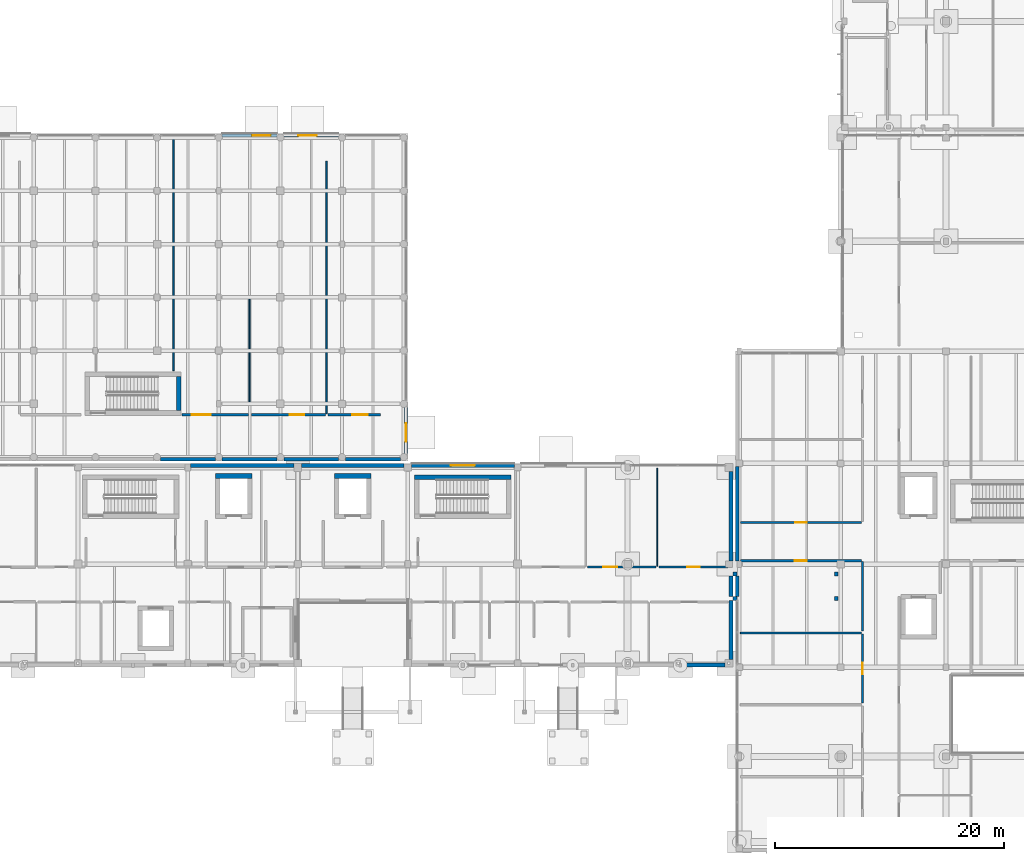
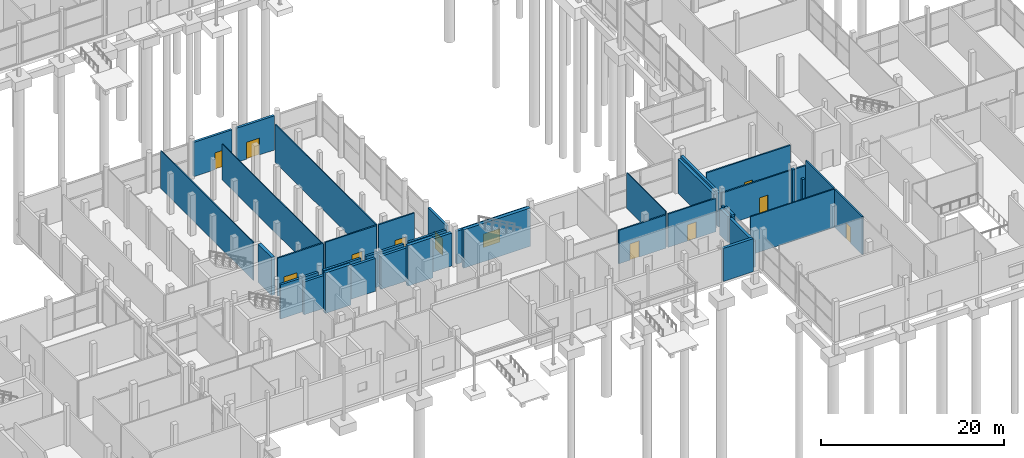
# One storey, part 61 of 88: 38 walls, 11 doors, 1 window, 12 openings.
"""IFC4 building model written with IfcOpenShell, lengths in metres."""

from ifc_helpers import new_model, si_unit, direction, frame, frame_2d, origin, place, context, subcontext, project, spatial, rectangle, extrude, material, layer, layer_set, type_object, element, fill, save


model = new_model("IFC4")

# Units and contexts
model_context = context("Model", 3, precision=1e-05, world=origin(), true_north=direction((0.0, 1.0)))
body_context = subcontext(model_context, "Body", "Model", "MODEL_VIEW")
ifc_project = project(units=[si_unit("LENGTHUNIT", "METRE"), si_unit("AREAUNIT", "SQUARE_METRE"), si_unit("VOLUMEUNIT", "CUBIC_METRE"), si_unit("PLANEANGLEUNIT", "RADIAN"), si_unit("MASSUNIT", "GRAM", prefix="KILO")], contexts=[model_context])

# Site, building, storey
site_placement = place(None, origin())
site = spatial("IfcSite", under=ifc_project, at=site_placement, CompositionType="ELEMENT")
building_placement = place(site_placement, origin())
building = spatial("IfcBuilding", under=site, at=building_placement, Name="Birchvale Park Specialist Clinic", CompositionType="ELEMENT")
storey_placement = place(building_placement, origin())
storey = spatial("IfcBuildingStorey", under=building, at=storey_placement, Name="L00", CompositionType="ELEMENT", Elevation=0.0)

# Walls
ifc_material_1 = material(Name="Concrete C40/50", Category="concrete")
ifc_layer_1 = layer(ifc_material_1, 0.39990234375)
ifc_layer_set_1 = layer_set([ifc_layer_1], Name="Concrete C40/50")
wall_type_1 = type_object("IfcWallType", Name="WL-CW-120", PredefinedType="SHEAR", material=ifc_layer_set_1)
wall_1_placement = place(storey_placement, frame((70.199951171875, 42.199951171875, 0.0), z_axis=(0.0, 0.0, 1.0), x_axis=(0.0, -1.0, 0.0)))
element("IfcWall", 1, at=wall_1_placement, inside=storey, type_object=wall_type_1, Name="L00 stair ST1 EI 120 enclosure wall (east)", PredefinedType="SHEAR", context=body_context, shape_type="SweptSolid", body=[
    extrude(rectangle(XDim=3.0, YDim=0.39990234375, at=frame_2d((1.5, 0.0))), origin(), (0.0, 0.0, 1.0), 5.080078125),
])
wall_2_placement = place(storey_placement, frame((99.199951171875, 33.39990234375, 0.0), z_axis=(0.0, 0.0, 1.0), x_axis=(-1.0, 0.0, 0.0)))
element("IfcWall", 2, at=wall_2_placement, inside=storey, type_object=wall_type_1, Name="L00 stair ST5 EI 120 enclosure wall (north)", PredefinedType="SHEAR", context=body_context, shape_type="SweptSolid", body=[
    extrude(rectangle(XDim=8.39990234375, YDim=0.39990234375, at=frame_2d((4.199951171875, 0.0))), origin(), (0.0, 0.0, 1.0), 5.1201171875),
])
wall_3_placement = place(storey_placement, frame((76.60009765625, 33.5, 0.0), z_axis=(0.0, 0.0, 1.0), x_axis=(-1.0, 0.0, 0.0)))
element("IfcWall", 3, at=wall_3_placement, inside=storey, type_object=wall_type_1, Name="L00 lift LF1 shaft wall (north)", PredefinedType="SHEAR", context=body_context, shape_type="SweptSolid", body=[
    extrude(rectangle(XDim=3.2001953125, YDim=0.39990234375, at=frame_2d((1.60009765625, 0.0))), origin(), (0.0, 0.0, 1.0), 5.39990234375),
])
wall_4_placement = place(storey_placement, frame((87.0, 33.5, 0.0), z_axis=(0.0, 0.0, 1.0), x_axis=(-1.0, 0.0, 0.0)))
element("IfcWall", 4, at=wall_4_placement, inside=storey, type_object=wall_type_1, Name="L00 lift LF2 shaft wall (north)", PredefinedType="SHEAR", context=body_context, shape_type="SweptSolid", body=[
    extrude(rectangle(XDim=3.199951171875, YDim=0.39990234375, at=frame_2d((1.60009765625, 0.0))), origin(), (0.0, 0.0, 1.0), 5.39990234375),
])
ifc_material_2 = material(Name="Lime-white mineral-rendered insulated masonry", Category="masonry")
ifc_layer_2 = layer(ifc_material_2, 0.340087890625)
ifc_layer_set_2 = layer_set([ifc_layer_2], Name="Lime-white mineral-rendered insulated masonry")
wall_type_2 = type_object("IfcWallType", Name="WL-EW-01", PredefinedType="STANDARD", material=ifc_layer_set_2)
wall_5_placement = place(storey_placement, frame((114.114990234375, 16.989990234375, 0.0), z_axis=(0.0, 0.0, 1.0), x_axis=(1.0, 0.0, 0.0)))
element("IfcWall", 5, at=wall_5_placement, inside=storey, type_object=wall_type_2, Name="V4 L00 exterior facade wall 77", PredefinedType="STANDARD", context=body_context, shape_type="SweptSolid", body=[
    extrude(rectangle(XDim=3.800048828125, YDim=0.340087890625, at=frame_2d((1.89990234375, 0.0))), origin(), (0.0, 0.0, 1.0), 4.4150390625),
])
wall_6_placement = place(storey_placement, frame((118.409912109375, 17.485107421875, 0.0), z_axis=(0.0, 0.0, 1.0), x_axis=(0.0, 1.0, 0.0)))
element("IfcWall", 6, at=wall_6_placement, inside=storey, type_object=wall_type_2, Name="V4 L00 exterior facade wall 78", PredefinedType="STANDARD", context=body_context, shape_type="SweptSolid", body=[
    extrude(rectangle(XDim=5.144775390625, YDim=0.340087890625, at=frame_2d((2.572265625, 0.0))), origin(), (0.0, 0.0, 1.0), 3.508056640625),
])
wall_7_placement = place(storey_placement, frame((118.409912109375, 22.969970703125, 0.0), z_axis=(0.0, 0.0, 1.0), x_axis=(0.0, 1.0, 0.0)))
element("IfcWall", 7, at=wall_7_placement, inside=storey, type_object=wall_type_2, Name="V4 L00 exterior facade wall 79", PredefinedType="STANDARD", context=body_context, shape_type="SweptSolid", body=[
    extrude(rectangle(XDim=1.81005859375, YDim=0.340087890625, at=frame_2d((0.905029296875, 0.0))), origin(), (0.0, 0.0, 1.0), 3.508056640625),
])
wall_8_placement = place(storey_placement, frame((118.409912109375, 26.0849609375, 0.0), z_axis=(0.0, 0.0, 1.0), x_axis=(0.0, 1.0, 0.0)))
element("IfcWall", 8, at=wall_8_placement, inside=storey, type_object=wall_type_2, Name="V4 L00 exterior facade wall 80", PredefinedType="STANDARD", context=body_context, shape_type="SweptSolid", body=[
    extrude(rectangle(XDim=7.830078125, YDim=0.340087890625, at=frame_2d((3.9150390625, 0.0))), origin(), (0.0, 0.0, 1.0), 4.56494140625),
])

# Wall, opening, window
wall_9_placement = place(storey_placement, frame((99.514892578125, 34.409912109375, 0.0), z_axis=(0.0, 0.0, 1.0), x_axis=(-1.0, 0.0, 0.0)))
wall_9 = element("IfcWall", 9, at=wall_9_placement, inside=storey, type_object=wall_type_2, Name="V4 L00 exterior facade wall 82", PredefinedType="STANDARD", context=body_context, shape_type="SweptSolid", body=[
    extrude(rectangle(XDim=9.0048828125, YDim=0.340087890625, at=frame_2d((4.50244140625, 0.0))), origin(), (0.0, 0.0, 1.0), 4.4150390625),
])
opening_1_placement = place(wall_9_placement, frame((3.452392578125, 0.0, 0.949951171875)))
opening_1 = element("IfcOpeningElement", 10, at=opening_1_placement, cuts=wall_9, Name="Opening W-CL07", PredefinedType="OPENING", context=body_context, shape_type="SweptSolid", body=[
    extrude(rectangle(XDim=2.10009765625, YDim=1.800048828125, at=frame_2d((1.050048828125, 0.89990234375))), frame((0.0, 0.18017578125, 0.0), z_axis=(0.0, -1.0, 0.0), x_axis=(1.0, 0.0, 0.0)), (0.0, 0.0, 1.0), 0.360107421875),
])
ifc_material_3 = material(Name="Solar-control low-E double glazing", Category="glass")
window_type = type_object("IfcWindowType", Name="WIN-W-CL07", PartitioningType="SINGLE_PANEL", PredefinedType="WINDOW", material=ifc_material_3)
window_placement = place(opening_1_placement, origin())
window = element("IfcWindow", 11, at=window_placement, inside=storey, type_object=window_type, Name="V4 L00 cased window 11", OverallHeight=1.800048828125, OverallWidth=2.10009765625, PartitioningType="SINGLE_PANEL", PredefinedType="WINDOW", context=body_context, shape_type="SweptSolid", body=[
    extrude(rectangle(XDim=2.10009765625, YDim=1.800048828125, at=frame_2d((1.050048828125, 0.89990234375))), frame((0.0, 0.030029296875, 0.0), z_axis=(0.0, -1.0, 0.0), x_axis=(1.0, 0.0, 0.0)), (0.0, 0.0, 1.0), 0.06005859375),
])
fill(opening_1, window)

# Walls
wall_10_placement = place(storey_placement, frame((89.889892578125, 34.409912109375, 0.0), z_axis=(0.0, 0.0, 1.0), x_axis=(-1.0, 0.0, 0.0)))
element("IfcWall", 12, at=wall_10_placement, inside=storey, type_object=wall_type_2, Name="V4 L00 exterior facade wall 83", PredefinedType="STANDARD", context=body_context, shape_type="SweptSolid", body=[
    extrude(rectangle(XDim=8.954833984375, YDim=0.340087890625, at=frame_2d((4.4775390625, 0.0))), origin(), (0.0, 0.0, 1.0), 4.4150390625),
])
wall_11_placement = place(storey_placement, frame((80.264892578125, 34.409912109375, 0.0), z_axis=(0.0, 0.0, 1.0), x_axis=(-1.0, 0.0, 0.0)))
element("IfcWall", 13, at=wall_11_placement, inside=storey, type_object=wall_type_2, Name="V4 L00 exterior facade wall 84", PredefinedType="STANDARD", context=body_context, shape_type="SweptSolid", body=[
    extrude(rectangle(XDim=9.034912109375, YDim=0.340087890625, at=frame_2d((4.517578125, 0.0))), origin(), (0.0, 0.0, 1.0), 4.385009765625),
])
ifc_layer_3 = layer(ifc_material_2, 0.31005859375)
ifc_layer_set_3 = layer_set([ifc_layer_3], Name="Lime-white mineral-rendered insulated masonry")
wall_type_3 = type_object("IfcWallType", Name="WL-EW-02", PredefinedType="STANDARD", material=ifc_layer_set_3)
wall_12_placement = place(storey_placement, frame((118.97509765625, 34.31494140625, 0.0), z_axis=(0.0, 0.0, 1.0), x_axis=(0.0, -1.0, 0.0)))
element("IfcWall", 14, at=wall_12_placement, inside=storey, type_object=wall_type_3, Name="V5 L00 exterior facade wall 99", PredefinedType="STANDARD", context=body_context, shape_type="SweptSolid", body=[
    extrude(rectangle(XDim=8.22998046875, YDim=0.31005859375, at=frame_2d((4.114990234375, 0.0))), origin(), (0.0, 0.0, 1.0), 4.544921875),
])
wall_13_placement = place(storey_placement, frame((118.97509765625, 24.780029296875, 0.0), z_axis=(0.0, 0.0, 1.0), x_axis=(0.0, -1.0, 0.0)))
element("IfcWall", 15, at=wall_13_placement, inside=storey, type_object=wall_type_3, Name="V5 L00 exterior facade wall 100", PredefinedType="STANDARD", context=body_context, shape_type="SweptSolid", body=[
    extrude(rectangle(XDim=1.81005859375, YDim=0.31005859375, at=frame_2d((0.905029296875, 0.0))), origin(), (0.0, 0.0, 1.0), 3.508056640625),
])
ifc_layer_4 = layer(ifc_material_2, 0.2900390625)
ifc_layer_set_4 = layer_set([ifc_layer_4], Name="Lime-white mineral-rendered insulated masonry")
wall_type_4 = type_object("IfcWallType", Name="WL-EW-03", PredefinedType="STANDARD", material=ifc_layer_set_4)
for number, where, z_axis, x_axis, name in (
    (16, (68.612060546875, 34.965087890625, 0.0), (0.0, 0.0, 1.0), (1.0, 0.0, 0.0), "V1 L00 exterior facade wall 20"),
    (17, (73.997802734375, 34.965087890625, 0.0), (0.0, 0.0, 1.0), (1.0, 0.0, 0.0), "V1 L00 exterior facade wall 21"),
):
    element("IfcWall", number, at=place(storey_placement, frame(where, z_axis=z_axis, x_axis=x_axis)), inside=storey, type_object=wall_type_4, Name=name, PredefinedType="STANDARD", context=body_context, shape_type="SweptSolid", body=[
        extrude(rectangle(XDim=4.77587890625, YDim=0.2900390625, at=frame_2d((2.387939453125, 0.0))), origin(), (0.0, 0.0, 1.0), 4.574951171875),
    ])
for number, where, z_axis, x_axis, name in (
    (18, (79.383544921875, 34.965087890625, 0.0), (0.0, 0.0, 1.0), (1.0, 0.0, 0.0), "V1 L00 exterior facade wall 22"),
    (19, (84.769287109375, 34.965087890625, 0.0), (0.0, 0.0, 1.0), (1.0, 0.0, 0.0), "V1 L00 exterior facade wall 23"),
):
    element("IfcWall", number, at=place(storey_placement, frame(where, z_axis=z_axis, x_axis=x_axis)), inside=storey, type_object=wall_type_4, Name=name, PredefinedType="STANDARD", context=body_context, shape_type="SweptSolid", body=[
        extrude(rectangle(XDim=4.775634765625, YDim=0.2900390625, at=frame_2d((2.3876953125, 0.0))), origin(), (0.0, 0.0, 1.0), 4.574951171875),
    ])

# Wall, opening, door
wall_14_placement = place(storey_placement, frame((90.034912109375, 35.455078125, 0.0), z_axis=(0.0, 0.0, 1.0), x_axis=(0.0, 1.0, 0.0)))
wall_14 = element("IfcWall", 20, at=wall_14_placement, inside=storey, type_object=wall_type_4, Name="V1 L00 exterior facade wall 24", PredefinedType="STANDARD", context=body_context, shape_type="SweptSolid", body=[
    extrude(rectangle(XDim=4.0400390625, YDim=0.2900390625, at=frame_2d((2.02001953125, 0.0))), origin(), (0.0, 0.0, 1.0), 4.625),
])
opening_2_placement = place(wall_14_placement, frame((1.050048828125, 0.0, 0.0)))
opening_2 = element("IfcOpeningElement", 21, at=opening_2_placement, cuts=wall_14, Name="Opening ED-04", PredefinedType="OPENING", context=body_context, shape_type="SweptSolid", body=[
    extrude(rectangle(XDim=1.60009765625, YDim=2.25, at=frame_2d((0.800048828125, 1.125))), frame((0.0, 0.155029296875, 0.0), z_axis=(0.0, -1.0, 0.0), x_axis=(1.0, 0.0, 0.0)), (0.0, 0.0, 1.0), 0.31005859375),
])
ifc_material_4 = material(Name="Powder-coated aluminium and laminated safety glass", Category="aluminium")
door_type_1 = type_object("IfcDoorType", Name="DR-ED-04", OperationType="DOUBLE_DOOR_SINGLE_SWING", PredefinedType="DOOR", material=ifc_material_4)
door_1_placement = place(opening_2_placement, frame((1.60009765625, 0.0, 0.0), z_axis=(0.0, 0.0, 1.0), x_axis=(-1.0, 0.0, 0.0)))
door_1 = element("IfcDoor", 22, at=door_1_placement, inside=storey, type_object=door_type_1, Name="L00 V1 final exit double door 1", OperationType="DOUBLE_DOOR_SINGLE_SWING", OverallHeight=2.25, OverallWidth=1.60009765625, PredefinedType="DOOR", context=body_context, shape_type="SweptSolid", body=[
    extrude(rectangle(XDim=1.60009765625, YDim=2.25, at=frame_2d((0.800048828125, 1.125))), frame((0.0, 0.02490234375, 0.0), z_axis=(0.0, -1.0, 0.0), x_axis=(1.0, 0.0, 0.0)), (0.0, 0.0, 1.0), 0.050048828125),
])
fill(opening_2, door_1)

wall_15_placement = place(storey_placement, frame((84.1591796875, 63.235107421875, 0.0), z_axis=(0.0, 0.0, 1.0), x_axis=(-1.0, 0.0, 0.0)))
wall_15 = element("IfcWall", 23, at=wall_15_placement, inside=storey, type_object=wall_type_4, Name="V1 L00 exterior facade wall 25", PredefinedType="STANDARD", context=body_context, shape_type="SweptSolid", body=[
    extrude(rectangle(XDim=4.775634765625, YDim=0.2900390625, at=frame_2d((2.3876953125, 0.0))), origin(), (0.0, 0.0, 1.0), 4.574951171875),
])
opening_3_placement = place(wall_15_placement, frame((1.9189453125, 0.0, 0.0)))
opening_3 = element("IfcOpeningElement", 24, at=opening_3_placement, cuts=wall_15, Name="Opening ED-04", PredefinedType="OPENING", context=body_context, shape_type="SweptSolid", body=[
    extrude(rectangle(XDim=1.60009765625, YDim=2.25, at=frame_2d((0.800048828125, 1.125))), frame((0.0, 0.155029296875, 0.0), z_axis=(0.0, -1.0, 0.0), x_axis=(1.0, 0.0, 0.0)), (0.0, 0.0, 1.0), 0.31005859375),
])
door_2_placement = place(opening_3_placement, frame((1.60009765625, 0.0, 0.0), z_axis=(0.0, 0.0, 1.0), x_axis=(-1.0, 0.0, 0.0)))
door_2 = element("IfcDoor", 25, at=door_2_placement, inside=storey, type_object=door_type_1, Name="L00 V1 final exit double door 2", OperationType="DOUBLE_DOOR_SINGLE_SWING", OverallHeight=2.25, OverallWidth=1.60009765625, PredefinedType="DOOR", context=body_context, shape_type="SweptSolid", body=[
    extrude(rectangle(XDim=1.60009765625, YDim=2.25, at=frame_2d((0.800048828125, 1.125))), frame((0.0, 0.02490234375, 0.0), z_axis=(0.0, -1.0, 0.0), x_axis=(1.0, 0.0, 0.0)), (0.0, 0.0, 1.0), 0.050048828125),
])
fill(opening_3, door_2)

wall_16_placement = place(storey_placement, frame((78.773681640625, 63.235107421875, 0.0), z_axis=(0.0, 0.0, 1.0), x_axis=(-1.0, 0.0, 0.0)))
wall_16 = element("IfcWall", 26, at=wall_16_placement, inside=storey, type_object=wall_type_4, Name="V1 L00 exterior facade wall 26", PredefinedType="STANDARD", context=body_context, shape_type="SweptSolid", body=[
    extrude(rectangle(XDim=4.77587890625, YDim=0.2900390625, at=frame_2d((2.387939453125, 0.0))), origin(), (0.0, 0.0, 1.0), 4.574951171875),
])
opening_4_placement = place(wall_16_placement, frame((0.557373046875, 0.0, 0.0)))
opening_4 = element("IfcOpeningElement", 27, at=opening_4_placement, cuts=wall_16, Name="Opening ED-04", PredefinedType="OPENING", context=body_context, shape_type="SweptSolid", body=[
    extrude(rectangle(XDim=1.60009765625, YDim=2.25, at=frame_2d((0.800048828125, 1.125))), frame((0.0, 0.155029296875, 0.0), z_axis=(0.0, -1.0, 0.0), x_axis=(1.0, 0.0, 0.0)), (0.0, 0.0, 1.0), 0.31005859375),
])
door_3_placement = place(opening_4_placement, frame((1.60009765625, 0.0, 0.0), z_axis=(0.0, 0.0, 1.0), x_axis=(-1.0, 0.0, 0.0)))
door_3 = element("IfcDoor", 28, at=door_3_placement, inside=storey, type_object=door_type_1, Name="L00 V1 final exit double door 3", OperationType="DOUBLE_DOOR_SINGLE_SWING", OverallHeight=2.25, OverallWidth=1.60009765625, PredefinedType="DOOR", context=body_context, shape_type="SweptSolid", body=[
    extrude(rectangle(XDim=1.60009765625, YDim=2.25, at=frame_2d((0.800048828125, 1.125))), frame((0.0, 0.02490234375, 0.0), z_axis=(0.0, -1.0, 0.0), x_axis=(1.0, 0.0, 0.0)), (0.0, 0.0, 1.0), 0.050048828125),
])
fill(opening_4, door_3)

# Walls
ifc_material_5 = material(Name="Acoustic gypsum board on metal framing")
ifc_layer_5 = layer(ifc_material_5, 0.14990234375)
ifc_layer_set_5 = layer_set([ifc_layer_5], Name="Acoustic gypsum board on metal framing")
wall_type_5 = type_object("IfcWallType", Name="WL-IW-02", PredefinedType="PARTITIONING", material=ifc_layer_set_5)
wall_17_placement = place(storey_placement, frame((119.239990234375, 19.78759765625, 0.0), z_axis=(0.0, 0.0, 1.0), x_axis=(1.0, 0.0, 0.0)))
element("IfcWall", 29, at=wall_17_placement, inside=storey, type_object=wall_type_5, Name="V5 L00 clinical partition 211", PredefinedType="PARTITIONING", context=body_context, shape_type="SweptSolid", body=[
    extrude(rectangle(XDim=10.580078125, YDim=0.14990234375, at=frame_2d((5.2900390625, 0.0))), origin(), (0.0, 0.0, 1.0), 5.10009765625),
])
ifc_layer_6 = layer(ifc_material_5, 0.125)
ifc_layer_set_6 = layer_set([ifc_layer_6], Name="Acoustic gypsum board on metal framing")
wall_type_6 = type_object("IfcWallType", Name="WL-IW-04", PredefinedType="PARTITIONING", material=ifc_layer_set_6)
wall_18_placement = place(storey_placement, frame((69.756103515625, 42.699951171875, 0.0), z_axis=(0.0, 0.0, 1.0), x_axis=(0.0, 1.0, 0.0)))
element("IfcWall", 30, at=wall_18_placement, inside=storey, type_object=wall_type_6, Name="V1 L00 clinical partition 71", PredefinedType="PARTITIONING", context=body_context, shape_type="SweptSolid", body=[
    extrude(rectangle(XDim=20.260009765625, YDim=0.125, at=frame_2d((10.1298828125, 0.0))), origin(), (0.0, 0.0, 1.0), 5.080078125),
])
ifc_layer_7 = layer(ifc_material_5, 0.114990234375)
ifc_layer_set_7 = layer_set([ifc_layer_7], Name="Acoustic gypsum board on metal framing")
wall_type_7 = type_object("IfcWallType", Name="WL-IW-05", PredefinedType="PARTITIONING", material=ifc_layer_set_7)
wall_19_placement = place(storey_placement, frame((83.092041015625, 61.0048828125, 0.0), z_axis=(0.0, 0.0, 1.0), x_axis=(0.0, -1.0, 0.0)))
element("IfcWall", 31, at=wall_19_placement, inside=storey, type_object=wall_type_7, Name="V1 L00 clinical partition 74", PredefinedType="PARTITIONING", context=body_context, shape_type="SweptSolid", body=[
    extrude(rectangle(XDim=22.074951171875, YDim=0.114990234375, at=frame_2d((11.03759765625, 0.0))), origin(), (0.0, 0.0, 1.0), 5.080078125),
])
ifc_layer_8 = layer(ifc_material_5, 0.10009765625)
ifc_layer_set_8 = layer_set([ifc_layer_8], Name="Acoustic gypsum board on metal framing")
wall_type_8 = type_object("IfcWallType", Name="WL-IW-06", PredefinedType="PARTITIONING", material=ifc_layer_set_8)
wall_20_placement = place(storey_placement, frame((76.384033203125, 61.0048828125, 0.0), z_axis=(0.0, 0.0, 1.0), x_axis=(0.0, -1.0, 0.0)))
element("IfcWall", 32, at=wall_20_placement, inside=storey, type_object=wall_type_8, Name="V1 L00 clinical partition 72", PredefinedType="PARTITIONING", context=body_context, shape_type="SweptSolid", body=[
    extrude(rectangle(XDim=22.074951171875, YDim=0.10009765625, at=frame_2d((11.03759765625, 0.0))), origin(), (0.0, 0.0, 1.0), 4.802978515625),
])
wall_21_placement = place(storey_placement, frame((111.973388671875, 34.159912109375, 0.0), z_axis=(0.0, 0.0, 1.0), x_axis=(0.0, -1.0, 0.0)))
element("IfcWall", 33, at=wall_21_placement, inside=storey, type_object=wall_type_8, Name="V4 L00 clinical partition 204", PredefinedType="PARTITIONING", context=body_context, shape_type="SweptSolid", body=[
    extrude(rectangle(XDim=8.530029296875, YDim=0.10009765625, at=frame_2d((4.26513671875, 0.0))), origin(), (0.0, 0.0, 1.0), 4.799072265625),
])

# Wall, opening, door
ifc_layer_9 = layer(ifc_material_5, 0.179931640625)
ifc_layer_set_9 = layer_set([ifc_layer_9], Name="Acoustic gypsum board on metal framing")
wall_type_9 = type_object("IfcWallType", Name="WL-IW-60", PredefinedType="PARTITIONING", material=ifc_layer_set_9)
wall_22_placement = place(storey_placement, frame((76.303955078125, 38.85009765625, 0.0), z_axis=(0.0, 0.0, 1.0), x_axis=(-1.0, 0.0, 0.0)))
wall_22 = element("IfcWall", 34, at=wall_22_placement, inside=storey, type_object=wall_type_9, Name="V1 L00 clinical partition 73", PredefinedType="PARTITIONING", context=body_context, shape_type="SweptSolid", body=[
    extrude(rectangle(XDim=5.803955078125, YDim=0.179931640625, at=frame_2d((2.90185546875, 0.0))), origin(), (0.0, 0.0, 1.0), 5.080078125),
])
opening_5_placement = place(wall_22_placement, frame((3.326904296875, 0.0, 0.0)))
opening_5 = element("IfcOpeningElement", 35, at=opening_5_placement, cuts=wall_22, Name="Opening ID-08", PredefinedType="OPENING", context=body_context, shape_type="SweptSolid", body=[
    extrude(rectangle(XDim=1.64990234375, YDim=2.300048828125, at=frame_2d((0.824951171875, 1.14990234375))), frame((0.0, 0.10009765625, 0.0), z_axis=(0.0, -1.0, 0.0), x_axis=(1.0, 0.0, 0.0)), (0.0, 0.0, 1.0), 0.199951171875),
])
ifc_material_6 = material(Name="Solid-core birch veneer and anodised aluminium", Category="aluminium")
door_type_2 = type_object("IfcDoorType", Name="DR-ID-08", OperationType="DOUBLE_DOOR_SINGLE_SWING", PredefinedType="DOOR", material=ifc_material_6)
door_4_placement = place(opening_5_placement, origin())
door_4 = element("IfcDoor", 36, at=door_4_placement, inside=storey, type_object=door_type_2, Name="L00 Hydrotherapy Rehabilitation Hall door", OperationType="DOUBLE_DOOR_SINGLE_SWING", OverallHeight=2.300048828125, OverallWidth=1.64990234375, PredefinedType="DOOR", context=body_context, shape_type="SweptSolid", body=[
    extrude(rectangle(XDim=1.64990234375, YDim=2.300048828125, at=frame_2d((0.824951171875, 1.14990234375))), frame((0.0, 0.02490234375, 0.0), z_axis=(0.0, -1.0, 0.0), x_axis=(1.0, 0.0, 0.0)), (0.0, 0.0, 1.0), 0.050048828125),
])
fill(opening_5, door_4)

wall_23_placement = place(storey_placement, frame((83.011962890625, 38.85009765625, 0.0), z_axis=(0.0, 0.0, 1.0), x_axis=(-1.0, 0.0, 0.0)))
wall_23 = element("IfcWall", 37, at=wall_23_placement, inside=storey, type_object=wall_type_9, Name="V1 L00 clinical partition 75", PredefinedType="PARTITIONING", context=body_context, shape_type="SweptSolid", body=[
    extrude(rectangle(XDim=6.468017578125, YDim=0.179931640625, at=frame_2d((3.23388671875, 0.0))), origin(), (0.0, 0.0, 1.0), 5.080078125),
])
opening_6_placement = place(wall_23_placement, frame((1.843994140625, 0.0, 0.0)))
opening_6 = element("IfcOpeningElement", 38, at=opening_6_placement, cuts=wall_23, Name="Opening ID-05", PredefinedType="OPENING", context=body_context, shape_type="SweptSolid", body=[
    extrude(rectangle(XDim=1.280029296875, YDim=2.25, at=frame_2d((0.64013671875, 1.125))), frame((0.0, 0.10009765625, 0.0), z_axis=(0.0, -1.0, 0.0), x_axis=(1.0, 0.0, 0.0)), (0.0, 0.0, 1.0), 0.199951171875),
])
door_type_3 = type_object("IfcDoorType", Name="DR-ID-05", OperationType="NOTDEFINED", PredefinedType="DOOR", material=ifc_material_6)
door_5_placement = place(opening_6_placement, origin())
door_5 = element("IfcDoor", 39, at=door_5_placement, inside=storey, type_object=door_type_3, Name="L00 Patient Reception Concourse door", OperationType="SINGLE_SWING_RIGHT", OverallHeight=2.25, OverallWidth=1.280029296875, PredefinedType="DOOR", context=body_context, shape_type="SweptSolid", body=[
    extrude(rectangle(XDim=1.280029296875, YDim=2.25, at=frame_2d((0.64013671875, 1.125))), frame((0.0, 0.02490234375, 0.0), z_axis=(0.0, -1.0, 0.0), x_axis=(1.0, 0.0, 0.0)), (0.0, 0.0, 1.0), 0.050048828125),
])
fill(opening_6, door_5)

wall_24_placement = place(storey_placement, frame((87.804931640625, 38.85009765625, 0.0), z_axis=(0.0, 0.0, 1.0), x_axis=(-1.0, 0.0, 0.0)))
wall_24 = element("IfcWall", 40, at=wall_24_placement, inside=storey, type_object=wall_type_9, Name="V1 L00 clinical partition 76", PredefinedType="PARTITIONING", context=body_context, shape_type="SweptSolid", body=[
    extrude(rectangle(XDim=4.552978515625, YDim=0.179931640625, at=frame_2d((2.2763671875, 0.0))), origin(), (0.0, 0.0, 1.0), 5.080078125),
])
opening_7_placement = place(wall_24_placement, frame((1.08642578125, 0.0, 0.0)))
opening_7 = element("IfcOpeningElement", 41, at=opening_7_placement, cuts=wall_24, Name="Opening ID-06", PredefinedType="OPENING", context=body_context, shape_type="SweptSolid", body=[
    extrude(rectangle(XDim=1.3798828125, YDim=2.25, at=frame_2d((0.68994140625, 1.125))), frame((0.0, 0.10009765625, 0.0), z_axis=(0.0, -1.0, 0.0), x_axis=(1.0, 0.0, 0.0)), (0.0, 0.0, 1.0), 0.199951171875),
])
door_type_4 = type_object("IfcDoorType", Name="DR-ID-06", OperationType="NOTDEFINED", PredefinedType="DOOR", material=ifc_material_6)
door_6_placement = place(opening_7_placement, origin())
door_6 = element("IfcDoor", 42, at=door_6_placement, inside=storey, type_object=door_type_4, Name="L00 Parkside Cafe door", OperationType="SINGLE_SWING_LEFT", OverallHeight=2.25, OverallWidth=1.3798828125, PredefinedType="DOOR", context=body_context, shape_type="SweptSolid", body=[
    extrude(rectangle(XDim=1.3798828125, YDim=2.25, at=frame_2d((0.68994140625, 1.125))), frame((0.0, 0.02490234375, 0.0), z_axis=(0.0, -1.0, 0.0), x_axis=(1.0, 0.0, 0.0)), (0.0, 0.0, 1.0), 0.050048828125),
])
fill(opening_7, door_6)

wall_25_placement = place(storey_placement, frame((111.893310546875, 25.550048828125, 0.0), z_axis=(0.0, 0.0, 1.0), x_axis=(-1.0, 0.0, 0.0)))
wall_25 = element("IfcWall", 43, at=wall_25_placement, inside=storey, type_object=wall_type_9, Name="V4 L00 clinical partition 205", PredefinedType="PARTITIONING", context=body_context, shape_type="SweptSolid", body=[
    extrude(rectangle(XDim=5.986572265625, YDim=0.179931640625, at=frame_2d((2.9931640625, 0.0))), origin(), (0.0, 0.0, 1.0), 4.455078125),
])
opening_8_placement = place(wall_25_placement, frame((3.38330078125, 0.0, 0.0)))
opening_8 = element("IfcOpeningElement", 44, at=opening_8_placement, cuts=wall_25, Name="Opening ID-10", PredefinedType="OPENING", context=body_context, shape_type="SweptSolid", body=[
    extrude(rectangle(XDim=1.219970703125, YDim=2.179931640625, at=frame_2d((0.60986328125, 1.08984375))), frame((0.0, 0.10009765625, 0.0), z_axis=(0.0, -1.0, 0.0), x_axis=(1.0, 0.0, 0.0)), (0.0, 0.0, 1.0), 0.199951171875),
])
door_type_5 = type_object("IfcDoorType", Name="DR-ID-10", OperationType="NOTDEFINED", PredefinedType="DOOR", material=ifc_material_6)
door_7_placement = place(opening_8_placement, origin())
door_7 = element("IfcDoor", 45, at=door_7_placement, inside=storey, type_object=door_type_5, Name="L00 Cardiology Examination Clinic door", OperationType="SINGLE_SWING_RIGHT", OverallHeight=2.179931640625, OverallWidth=1.219970703125, PredefinedType="DOOR", context=body_context, shape_type="SweptSolid", body=[
    extrude(rectangle(XDim=1.219970703125, YDim=2.179931640625, at=frame_2d((0.60986328125, 1.08984375))), frame((0.0, 0.02490234375, 0.0), z_axis=(0.0, -1.0, 0.0), x_axis=(1.0, 0.0, 0.0)), (0.0, 0.0, 1.0), 0.050048828125),
])
fill(opening_8, door_7)

wall_26_placement = place(storey_placement, frame((118.159912109375, 25.550048828125, 0.0), z_axis=(0.0, 0.0, 1.0), x_axis=(-1.0, 0.0, 0.0)))
wall_26 = element("IfcWall", 46, at=wall_26_placement, inside=storey, type_object=wall_type_9, Name="V4 L00 clinical partition 206", PredefinedType="PARTITIONING", context=body_context, shape_type="SweptSolid", body=[
    extrude(rectangle(XDim=6.026611328125, YDim=0.179931640625, at=frame_2d((3.01318359375, 0.0))), origin(), (0.0, 0.0, 1.0), 4.455078125),
])
opening_9_placement = place(wall_26_placement, frame((2.453369140625, 0.0, 0.0)))
opening_9 = element("IfcOpeningElement", 47, at=opening_9_placement, cuts=wall_26, Name="Opening ID-11", PredefinedType="OPENING", context=body_context, shape_type="SweptSolid", body=[
    extrude(rectangle(XDim=1.1201171875, YDim=2.159912109375, at=frame_2d((0.56005859375, 1.080078125))), frame((0.0, 0.10009765625, 0.0), z_axis=(0.0, -1.0, 0.0), x_axis=(1.0, 0.0, 0.0)), (0.0, 0.0, 1.0), 0.199951171875),
])
door_type_6 = type_object("IfcDoorType", Name="DR-ID-11", OperationType="NOTDEFINED", PredefinedType="DOOR", material=ifc_material_6)
door_8_placement = place(opening_9_placement, origin())
door_8 = element("IfcDoor", 48, at=door_8_placement, inside=storey, type_object=door_type_6, Name="L00 Multidisciplinary Triage Clinic door", OperationType="SINGLE_SWING_LEFT", OverallHeight=2.159912109375, OverallWidth=1.1201171875, PredefinedType="DOOR", context=body_context, shape_type="SweptSolid", body=[
    extrude(rectangle(XDim=1.1201171875, YDim=2.159912109375, at=frame_2d((0.56005859375, 1.080078125))), frame((0.0, 0.02490234375, 0.0), z_axis=(0.0, -1.0, 0.0), x_axis=(1.0, 0.0, 0.0)), (0.0, 0.0, 1.0), 0.050048828125),
])
fill(opening_9, door_8)

wall_27_placement = place(storey_placement, frame((129.89990234375, 19.70751953125, 0.0), z_axis=(0.0, 0.0, 1.0), x_axis=(0.0, -1.0, 0.0)))
wall_27 = element("IfcWall", 49, at=wall_27_placement, inside=storey, type_object=wall_type_9, Name="V5 L00 clinical partition 212", PredefinedType="PARTITIONING", context=body_context, shape_type="SweptSolid", body=[
    extrude(rectangle(XDim=6.032470703125, YDim=0.179931640625, at=frame_2d((3.01611328125, 0.0))), origin(), (0.0, 0.0, 1.0), 5.10009765625),
])
opening_10_placement = place(wall_27_placement, frame((2.51611328125, 0.0, 0.0)))
opening_10 = element("IfcOpeningElement", 50, at=opening_10_placement, cuts=wall_27, Name="Opening ID-01", PredefinedType="OPENING", context=body_context, shape_type="SweptSolid", body=[
    extrude(rectangle(XDim=1.0, YDim=2.14990234375, at=frame_2d((0.5, 1.074951171875))), frame((0.0, 0.10009765625, 0.0), z_axis=(0.0, -1.0, 0.0), x_axis=(1.0, 0.0, 0.0)), (0.0, 0.0, 1.0), 0.199951171875),
])
door_type_7 = type_object("IfcDoorType", Name="DR-ID-01", OperationType="NOTDEFINED", PredefinedType="DOOR", material=ifc_material_6)
door_9_placement = place(opening_10_placement, origin())
door_9 = element("IfcDoor", 51, at=door_9_placement, inside=storey, type_object=door_type_7, Name="L00 Pre-Procedure Assessment Clinic door", OperationType="SINGLE_SWING_RIGHT", OverallHeight=2.14990234375, OverallWidth=1.0, PredefinedType="DOOR", context=body_context, shape_type="SweptSolid", body=[
    extrude(rectangle(XDim=1.0, YDim=2.14990234375, at=frame_2d((0.5, 1.074951171875))), frame((0.0, 0.02490234375, 0.0), z_axis=(0.0, -1.0, 0.0), x_axis=(1.0, 0.0, 0.0)), (0.0, 0.0, 1.0), 0.050048828125),
])
fill(opening_10, door_9)

wall_28_placement = place(storey_placement, frame((119.239990234375, 26.10009765625, 0.0), z_axis=(0.0, 0.0, 1.0), x_axis=(1.0, 0.0, 0.0)))
wall_28 = element("IfcWall", 52, at=wall_28_placement, inside=storey, type_object=wall_type_9, Name="V5 L00 clinical partition 213", PredefinedType="PARTITIONING", context=body_context, shape_type="SweptSolid", body=[
    extrude(rectangle(XDim=10.580078125, YDim=0.179931640625, at=frame_2d((5.2900390625, 0.0))), origin(), (0.0, 0.0, 1.0), 4.43505859375),
])
opening_11_placement = place(wall_28_placement, frame((4.77001953125, 0.0, 0.0)))
opening_11 = element("IfcOpeningElement", 53, at=opening_11_placement, cuts=wall_28, Name="Opening ID-02", PredefinedType="OPENING", context=body_context, shape_type="SweptSolid", body=[
    extrude(rectangle(XDim=1.0400390625, YDim=2.14990234375, at=frame_2d((0.52001953125, 1.074951171875))), frame((0.0, 0.10009765625, 0.0), z_axis=(0.0, -1.0, 0.0), x_axis=(1.0, 0.0, 0.0)), (0.0, 0.0, 1.0), 0.199951171875),
])
door_type_8 = type_object("IfcDoorType", Name="DR-ID-02", OperationType="NOTDEFINED", PredefinedType="DOOR", material=ifc_material_6)
door_10_placement = place(opening_11_placement, origin())
door_10 = element("IfcDoor", 54, at=door_10_placement, inside=storey, type_object=door_type_8, Name="L00 Outpatient Waiting Lounge door", OperationType="SINGLE_SWING_LEFT", OverallHeight=2.14990234375, OverallWidth=1.0400390625, PredefinedType="DOOR", context=body_context, shape_type="SweptSolid", body=[
    extrude(rectangle(XDim=1.0400390625, YDim=2.14990234375, at=frame_2d((0.52001953125, 1.074951171875))), frame((0.0, 0.02490234375, 0.0), z_axis=(0.0, -1.0, 0.0), x_axis=(1.0, 0.0, 0.0)), (0.0, 0.0, 1.0), 0.050048828125),
])
fill(opening_11, door_10)

# Wall
wall_29_placement = place(storey_placement, frame((129.89990234375, 26.02001953125, 0.0), z_axis=(0.0, 0.0, 1.0), x_axis=(0.0, -1.0, 0.0)))
element("IfcWall", 55, at=wall_29_placement, inside=storey, type_object=wall_type_9, Name="V5 L00 clinical partition 214", PredefinedType="PARTITIONING", context=body_context, shape_type="SweptSolid", body=[
    extrude(rectangle(XDim=6.072509765625, YDim=0.179931640625, at=frame_2d((3.0361328125, 0.0))), origin(), (0.0, 0.0, 1.0), 5.10009765625),
])

# Wall, opening, door
wall_30_placement = place(storey_placement, frame((129.820068359375, 29.449951171875, 0.0), z_axis=(0.0, 0.0, 1.0), x_axis=(-1.0, 0.0, 0.0)))
wall_30 = element("IfcWall", 56, at=wall_30_placement, inside=storey, type_object=wall_type_9, Name="V5 L00 clinical partition 237", PredefinedType="PARTITIONING", context=body_context, shape_type="SweptSolid", body=[
    extrude(rectangle(XDim=10.580078125, YDim=0.179931640625, at=frame_2d((5.2900390625, 0.0))), origin(), (0.0, 0.0, 1.0), 5.10009765625),
])
opening_12_placement = place(wall_30_placement, frame((4.7900390625, 0.0, 0.0)))
opening_12 = element("IfcOpeningElement", 57, at=opening_12_placement, cuts=wall_30, Name="Opening ID-01", PredefinedType="OPENING", context=body_context, shape_type="SweptSolid", body=[
    extrude(rectangle(XDim=1.0, YDim=2.14990234375, at=frame_2d((0.5, 1.074951171875))), frame((0.0, 0.10009765625, 0.0), z_axis=(0.0, -1.0, 0.0), x_axis=(1.0, 0.0, 0.0)), (0.0, 0.0, 1.0), 0.199951171875),
])
door_11_placement = place(opening_12_placement, origin())
door_11 = element("IfcDoor", 58, at=door_11_placement, inside=storey, type_object=door_type_7, Name="L00 Patient Medication Counselling Room door", OperationType="SINGLE_SWING_LEFT", OverallHeight=2.14990234375, OverallWidth=1.0, PredefinedType="DOOR", context=body_context, shape_type="SweptSolid", body=[
    extrude(rectangle(XDim=1.0, YDim=2.14990234375, at=frame_2d((0.5, 1.074951171875))), frame((0.0, 0.02490234375, 0.0), z_axis=(0.0, -1.0, 0.0), x_axis=(1.0, 0.0, 0.0)), (0.0, 0.0, 1.0), 0.050048828125),
])
fill(opening_12, door_11)

# Walls
ifc_layer_10 = layer(ifc_material_1, 0.35009765625)
ifc_layer_set_10 = layer_set([ifc_layer_10], Name="Concrete C40/50")
wall_type_10 = type_object("IfcWallType", Name="WL-SW-350", PredefinedType="SHEAR", material=ifc_layer_set_10)
for number, where, z_axis, x_axis, name in (
    (59, (118.610107421875, 22.800048828125, -0.35009765625), (0.0, 0.0, 1.0), (1.0, 0.0, 0.0), "L00 seismic bridge support pier BRG-2 CRB S"),
    (60, (118.610107421875, 24.949951171875, -0.35009765625), (0.0, 0.0, 1.0), (1.0, 0.0, 0.0), "L00 seismic bridge support pier BRG-2 CRB N"),
):
    element("IfcWall", number, at=place(storey_placement, frame(where, z_axis=z_axis, x_axis=x_axis)), inside=storey, type_object=wall_type_10, Name=name, PredefinedType="SHEAR", context=body_context, shape_type="SweptSolid", body=[
        extrude(rectangle(XDim=0.31982421875, YDim=0.35009765625, at=frame_2d((0.159912109375, 0.0))), origin(), (0.0, 0.0, 1.0), 3.873046875),
    ])
for number, where, z_axis, x_axis, name in (
    (61, (127.4599609375, 22.800048828125, 0.0), (0.0, 0.0, 1.0), (1.0, 0.0, 0.0), "L00 seismic bridge support pier BRG-3 CRB S"),
    (62, (127.4599609375, 24.949951171875, 0.0), (0.0, 0.0, 1.0), (1.0, 0.0, 0.0), "L00 seismic bridge support pier BRG-3 CRB N"),
):
    element("IfcWall", number, at=place(storey_placement, frame(where, z_axis=z_axis, x_axis=x_axis)), inside=storey, type_object=wall_type_10, Name=name, PredefinedType="SHEAR", context=body_context, shape_type="SweptSolid", body=[
        extrude(rectangle(XDim=0.320068359375, YDim=0.35009765625, at=frame_2d((0.16015625, 0.0))), origin(), (0.0, 0.0, 1.0), 5.39990234375),
    ])

save(model, "model.ifc")
